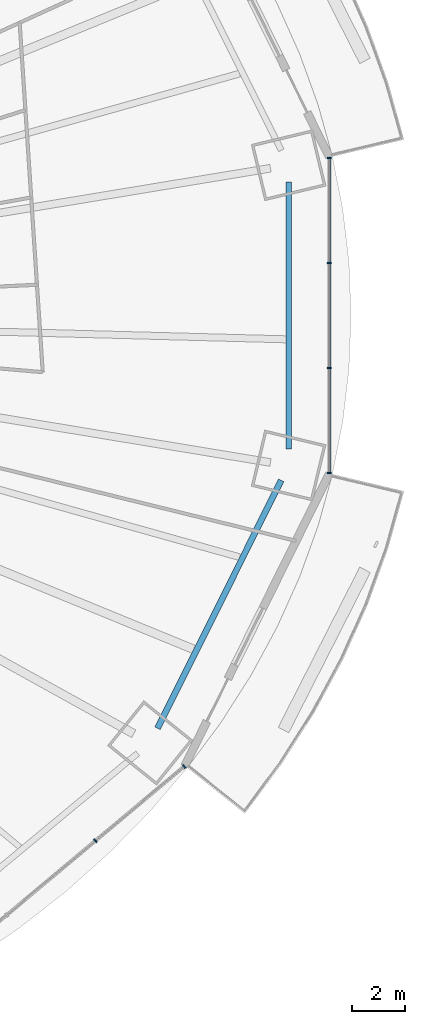
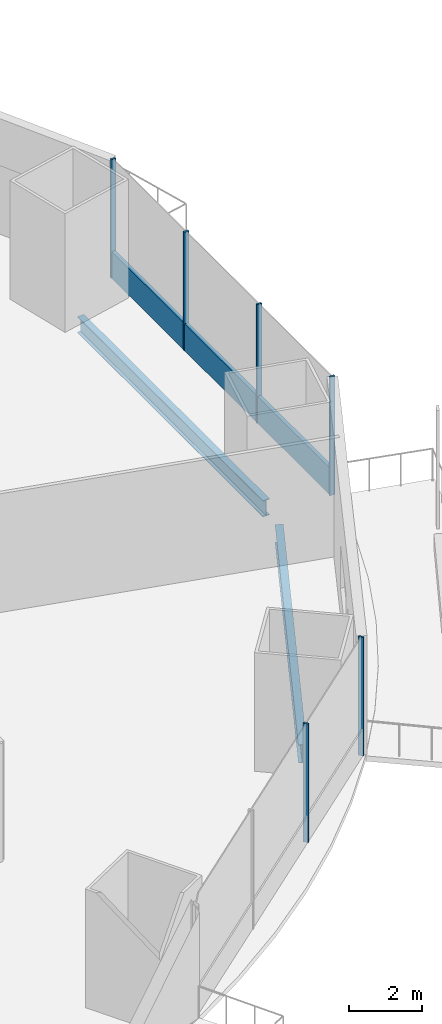
# One storey, part 11 of 23: 7 members, 2 beams, 2 elements without a shape of their own.
"""IFC4 building model written with IfcOpenShell, lengths in metres."""

from ifc_helpers import new_model, si_unit, direction, frame, origin, origin_2d, place, context, subcontext, project, spatial, rectangle, i_section, extrude, material, material_profile, profile_set, type_object, element, aggregate, save


model = new_model("IFC4")

# Units and contexts
model_context = context("Model", 3, precision=1e-05, world=origin(), true_north=direction((0.0, 1.0)))
body_context = subcontext(model_context, "Body", "Model", "MODEL_VIEW")
ifc_project = project(units=[si_unit("LENGTHUNIT", "METRE"), si_unit("AREAUNIT", "SQUARE_METRE"), si_unit("VOLUMEUNIT", "CUBIC_METRE"), si_unit("PLANEANGLEUNIT", "RADIAN"), si_unit("MASSUNIT", "GRAM", prefix="KILO")], contexts=[model_context])

# Site, building, storey
site_placement = place(None, origin())
site = spatial("IfcSite", under=ifc_project, at=site_placement, CompositionType="ELEMENT")
building_placement = place(site_placement, origin())
building = spatial("IfcBuilding", under=site, at=building_placement, Name="Marenthal Gate Tower", CompositionType="ELEMENT")
storey_placement = place(building_placement, frame((0.0, 0.0, 41.300048828125)))
storey = spatial("IfcBuildingStorey", under=building, at=storey_placement, Name="L06", CompositionType="ELEMENT", Elevation=41.300048828125)

# Curtain wall, members
ifc_material_1 = material(Name="Aluminium and glass", Category="aluminium")
curtain_wall_type = type_object("IfcCurtainWallType", Name="Curtain wall typical low", PredefinedType="NOTDEFINED", material=ifc_material_1)
curtain_wall_1_placement = place(storey_placement, origin())
curtain_wall_1 = element("IfcCurtainWall", 1, at=curtain_wall_1_placement, inside=storey, type_object=curtain_wall_type, Name="Curtain wall L06 bay 14", PredefinedType="NOTDEFINED")
ifc_material_2 = material(Name="Aluminium", Category="aluminium")
ifc_material_profile_1 = material_profile(ifc_material_2, rectangle(XDim=0.159912109375, YDim=0.06005859375, at=origin_2d()), Name="60x160 aluminium mullion")
ifc_profile_set_1 = profile_set([ifc_material_profile_1], Name="Aluminium")
member_type_1 = type_object("IfcMemberType", Name="Mullion 60x160 typical low", PredefinedType="MULLION", material=ifc_profile_set_1)
member_1_placement = place(storey_placement, frame((27.26513671875, -20.00244140625, 0.0), z_axis=(0.0, 0.0, 1.0), x_axis=(-0.641982192245, 0.76671954771, 0.0)))
member_1 = element("IfcMember", 2, at=member_1_placement, type_object=member_type_1, Name="Mullion L06 bay 14.3", PredefinedType="MULLION", context=body_context, shape_type="SweptSolid", body=[
    extrude(rectangle(XDim=0.159912109375, YDim=0.06005859375, at=origin_2d()), origin(), (0.0, 0.0, 1.0), 3.969970703125),
])
member_2_placement = place(storey_placement, frame((30.6416015625, -17.17529296875, 0.0), z_axis=(0.0, 0.0, 1.0), x_axis=(-0.641982192245, 0.76671954771, 0.0)))
member_2 = element("IfcMember", 3, at=member_2_placement, type_object=member_type_1, Name="Mullion L06 bay 14.4", PredefinedType="MULLION", context=body_context, shape_type="SweptSolid", body=[
    extrude(rectangle(XDim=0.159912109375, YDim=0.06005859375, at=origin_2d()), origin(), (0.0, 0.0, 1.0), 3.969970703125),
])
aggregate(curtain_wall_1, [member_1, member_2])

curtain_wall_2_placement = place(storey_placement, origin())
curtain_wall_2 = element("IfcCurtainWall", 4, at=curtain_wall_2_placement, inside=storey, type_object=curtain_wall_type, Name="Curtain wall L06 bay 16", PredefinedType="NOTDEFINED")
member_3_placement = place(storey_placement, frame((36.17138671875, -5.994384765625, 0.0), z_axis=(0.0, 0.0, 1.0), x_axis=(-1.0, 0.0, 0.0)))
member_3 = element("IfcMember", 5, at=member_3_placement, type_object=member_type_1, Name="Mullion L06 bay 16.1", PredefinedType="MULLION", context=body_context, shape_type="SweptSolid", body=[
    extrude(rectangle(XDim=0.159912109375, YDim=0.06005859375, at=origin_2d()), origin(), (0.0, 0.0, 1.0), 3.969970703125),
])
member_4_placement = place(storey_placement, frame((36.17138671875, -1.998046875, 0.0), z_axis=(0.0, 0.0, 1.0), x_axis=(-1.0, 0.0, 0.0)))
member_4 = element("IfcMember", 6, at=member_4_placement, type_object=member_type_1, Name="Mullion L06 bay 16.2", PredefinedType="MULLION", context=body_context, shape_type="SweptSolid", body=[
    extrude(rectangle(XDim=0.159912109375, YDim=0.06005859375, at=origin_2d()), origin(), (0.0, 0.0, 1.0), 3.969970703125),
])
member_5_placement = place(storey_placement, frame((36.17138671875, 1.998046875, 0.0), z_axis=(0.0, 0.0, 1.0), x_axis=(-1.0, 0.0, 0.0)))
member_5 = element("IfcMember", 7, at=member_5_placement, type_object=member_type_1, Name="Mullion L06 bay 16.3", PredefinedType="MULLION", context=body_context, shape_type="SweptSolid", body=[
    extrude(rectangle(XDim=0.159912109375, YDim=0.06005859375, at=origin_2d()), origin(), (0.0, 0.0, 1.0), 3.969970703125),
])
member_6_placement = place(storey_placement, frame((36.17138671875, 5.994384765625, 0.0), z_axis=(0.0, 0.0, 1.0), x_axis=(-1.0, 0.0, 0.0)))
member_6 = element("IfcMember", 8, at=member_6_placement, type_object=member_type_1, Name="Mullion L06 bay 16.4", PredefinedType="MULLION", context=body_context, shape_type="SweptSolid", body=[
    extrude(rectangle(XDim=0.159912109375, YDim=0.06005859375, at=origin_2d()), origin(), (0.0, 0.0, 1.0), 3.969970703125),
])
ifc_material_3 = material(Name="Aluminium", Category="aluminium")
ifc_material_profile_2 = material_profile(ifc_material_3, rectangle(XDim=0.1201171875, YDim=0.89990234375, at=origin_2d()), Name="120x900 aluminium transom")
ifc_profile_set_2 = profile_set([ifc_material_profile_2], Name="Aluminium")
member_type_2 = type_object("IfcMemberType", Name="Transom 120x900 typical low", PredefinedType="USERDEFINED", material=ifc_profile_set_2)
member_7_placement = place(storey_placement, frame((36.17138671875, -5.96435546875, 0.449951171875), z_axis=(0.0, 1.0, 0.0), x_axis=(-1.0, 0.0, 0.0)))
member_7 = element("IfcMember", 9, at=member_7_placement, type_object=member_type_2, Name="Transom L06 bay 16", ObjectType="TRANSOM", PredefinedType="USERDEFINED", context=body_context, shape_type="SweptSolid", body=[
    extrude(rectangle(XDim=0.1201171875, YDim=0.89990234375, at=origin_2d()), origin(), (0.0, 0.0, 1.0), 11.9287109375),
])
aggregate(curtain_wall_2, [member_3, member_4, member_5, member_6, member_7])

# Beams
ifc_material_4 = material(Name="Steel S355", Category="steel")
ifc_material_profile_3 = material_profile(ifc_material_4, i_section(OverallWidth=0.2119140625, OverallDepth=0.5439453125, WebThickness=0.01318359375, FlangeThickness=0.021240234375, FilletRadius=0.0126953125, at=origin_2d()), Name="W530X123")
ifc_profile_set_3 = profile_set([ifc_material_profile_3], Name="Steel S355")
beam_type_1 = type_object("IfcBeamType", Name="W530X123 beam", PredefinedType="BEAM", material=ifc_profile_set_3)
beam_1_placement = place(storey_placement, frame((34.62158203125, -5.0849609375, -0.4521484375), z_axis=(0.0, 1.0, 0.0), x_axis=(-1.0, 0.0, 0.0)))
element("IfcBeam", 10, at=beam_1_placement, inside=storey, type_object=beam_type_1, Name="BM-L06-56", PredefinedType="BEAM", context=body_context, shape_type="SweptSolid", body=[
    extrude(i_section(OverallWidth=0.2119140625, OverallDepth=0.5439453125, WebThickness=0.01318359375, FlangeThickness=0.021240234375, FilletRadius=0.0126953125, at=origin_2d()), origin(), (0.0, 0.0, 1.0), 10.169921875),
])
ifc_material_5 = material(Name="Steel S355", Category="steel")
ifc_material_profile_4 = material_profile(ifc_material_5, i_section(OverallWidth=0.22900390625, OverallDepth=0.612060546875, WebThickness=0.011962890625, FlangeThickness=0.01953125, FilletRadius=0.0126953125, at=origin_2d()), Name="W610X125")
ifc_profile_set_4 = profile_set([ifc_material_profile_4], Name="Steel S355")
beam_type_2 = type_object("IfcBeamType", Name="W610X125 beam", PredefinedType="BEAM", material=ifc_profile_set_4)
beam_2_placement = place(storey_placement, frame((29.63037109375, -15.71826171875, -0.486083984375), z_axis=(0.446519173672, 0.894774065082, 0.0), x_axis=(-0.894774065082, 0.446519173672, 0.0)))
element("IfcBeam", 11, at=beam_2_placement, inside=storey, type_object=beam_type_2, Name="BM-L06-55", PredefinedType="BEAM", context=body_context, shape_type="SweptSolid", body=[
    extrude(i_section(OverallWidth=0.22900390625, OverallDepth=0.612060546875, WebThickness=0.011962890625, FlangeThickness=0.01953125, FilletRadius=0.0126953125, at=origin_2d()), origin(), (0.0, 0.0, 1.0), 10.54931640625),
])

save(model, "model.ifc")
